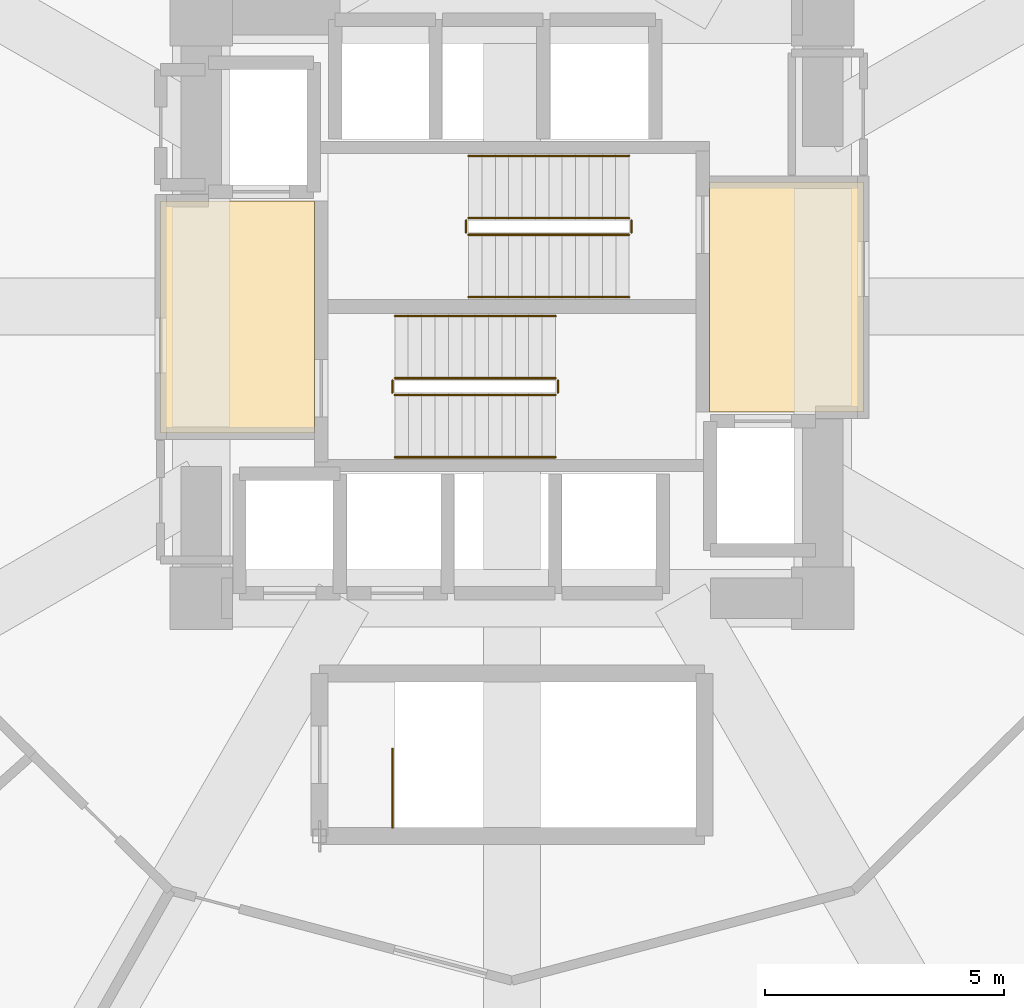
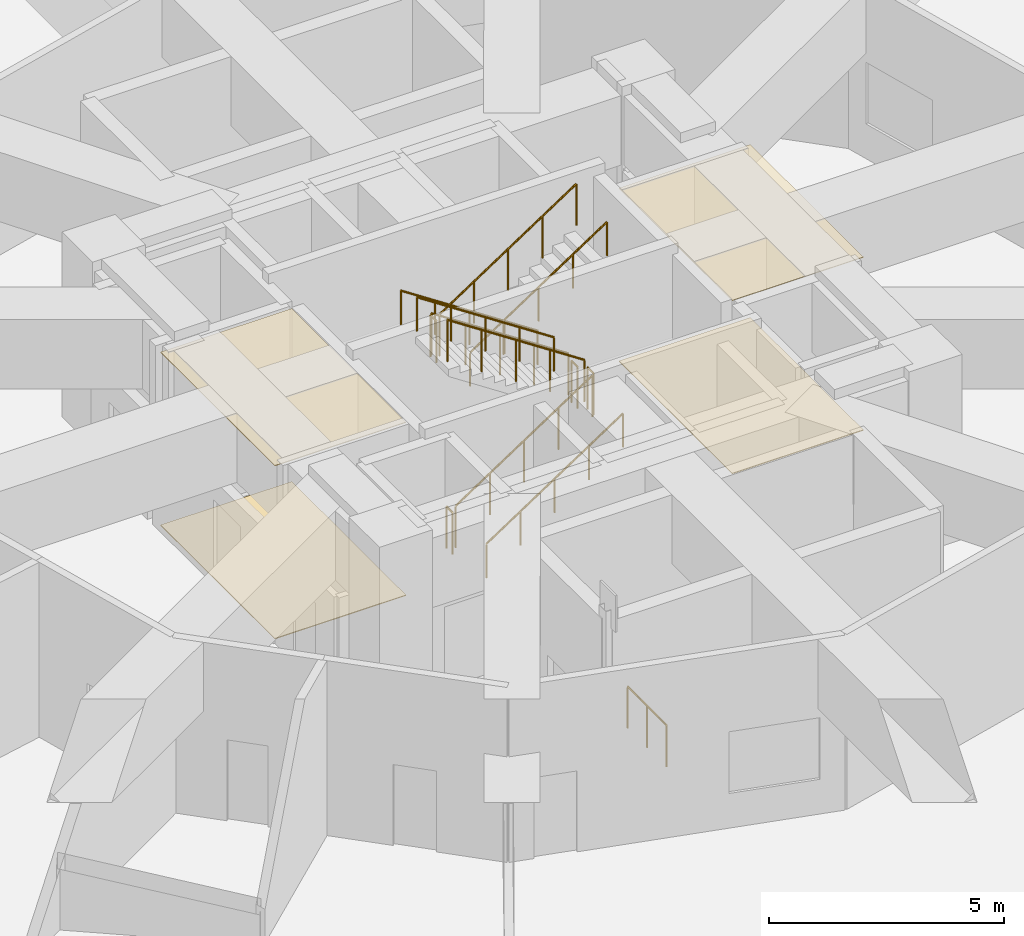
# One storey, part 26 of 27: 13 railings, 4 coverings.
"""IFC4 building model written with IfcOpenShell, lengths in metres."""

from ifc_helpers import new_model, si_unit, direction, frame, origin, origin_2d, place, context, subcontext, project, spatial, polyline, circle, outline, extrude, material, layer, layer_set, type_object, element, save


model = new_model("IFC4")

# Units and contexts
model_context = context("Model", 3, precision=1e-05, world=origin(), true_north=direction((0.0, 1.0)))
body_context = subcontext(model_context, "Body", "Model", "MODEL_VIEW")
ifc_project = project(units=[si_unit("LENGTHUNIT", "METRE"), si_unit("AREAUNIT", "SQUARE_METRE"), si_unit("VOLUMEUNIT", "CUBIC_METRE"), si_unit("PLANEANGLEUNIT", "RADIAN"), si_unit("MASSUNIT", "GRAM", prefix="KILO")], contexts=[model_context])

# Site, building, storey
site_placement = place(None, origin())
site = spatial("IfcSite", under=ifc_project, at=site_placement, CompositionType="ELEMENT")
building_placement = place(site_placement, origin())
building = spatial("IfcBuilding", under=site, at=building_placement, Name="Solvirekh Grand Hotel", CompositionType="ELEMENT")
storey_placement = place(building_placement, frame((0.0, 0.0, 23.60009765625)))
storey = spatial("IfcBuildingStorey", under=building, at=storey_placement, Name="L04", CompositionType="ELEMENT", Elevation=23.60009765625)

# Coverings
ifc_material_1 = material(Name="Acoustic Mineral Ceiling Tile")
ifc_layer_1 = layer(ifc_material_1, 0.02490234375)
ifc_layer_set_1 = layer_set([ifc_layer_1], Name="Acoustic Mineral Ceiling Tile")
covering_type_1 = type_object("IfcCoveringType", Name="Cov_Ceiling_Acoustic", PredefinedType="CEILING", material=ifc_layer_set_1)
covering_1_placement = place(storey_placement, frame((0.0, 0.0, 4.489990234375)))
element("IfcCovering", 1, at=covering_1_placement, inside=storey, type_object=covering_type_1, Name="L04 Firefighting Lobby West acoustic ceiling", PredefinedType="CEILING", context=body_context, shape_type="SweptSolid", body=[
    extrude(outline(polyline([(-7.35009765625, -2.64990234375), (-4.1298828125, -2.64990234375), (-4.1298828125, 2.2099609375), (-7.35009765625, 2.2099609375), (-7.35009765625, -2.64990234375)])), origin(), (0.0, 0.0, 1.0), 0.017822265625),
])
covering_2_placement = place(storey_placement, frame((0.0, 0.0, 4.489990234375)))
element("IfcCovering", 2, at=covering_2_placement, inside=storey, type_object=covering_type_1, Name="L04 Firefighting Lobby East acoustic ceiling", PredefinedType="CEILING", context=body_context, shape_type="SweptSolid", body=[
    extrude(outline(polyline([(4.1298828125, -2.2099609375), (7.35009765625, -2.2099609375), (7.35009765625, 2.60009765625), (4.1298828125, 2.60009765625), (4.1298828125, -2.2099609375)])), origin(), (0.0, 0.0, 1.0), 0.017822265625),
])
ifc_material_2 = material(Name="Porcelain Stoneware Flooring", Category="masonry")
ifc_layer_2 = layer(ifc_material_2, 0.030029296875)
ifc_layer_set_2 = layer_set([ifc_layer_2], Name="Porcelain Stoneware Flooring")
covering_type_2 = type_object("IfcCoveringType", Name="Cov_Floor_Stone", PredefinedType="FLOORING", material=ifc_layer_set_2)
covering_3_placement = place(storey_placement, origin())
element("IfcCovering", 3, at=covering_3_placement, inside=storey, type_object=covering_type_2, Name="L04 Firefighting Lobby West polished granite flooring", PredefinedType="FLOORING", context=body_context, shape_type="SweptSolid", body=[
    extrude(outline(polyline([(-7.35009765625, -2.64990234375), (-4.1298828125, -2.64990234375), (-4.1298828125, 2.2099609375), (-7.35009765625, 2.2099609375), (-7.35009765625, -2.64990234375)])), origin(), (0.0, 0.0, 1.0), 0.02001953125),
])
covering_4_placement = place(storey_placement, origin())
element("IfcCovering", 4, at=covering_4_placement, inside=storey, type_object=covering_type_2, Name="L04 Firefighting Lobby East polished granite flooring", PredefinedType="FLOORING", context=body_context, shape_type="SweptSolid", body=[
    extrude(outline(polyline([(4.1298828125, -2.2099609375), (7.35009765625, -2.2099609375), (7.35009765625, 2.60009765625), (4.1298828125, 2.60009765625), (4.1298828125, -2.2099609375)])), origin(), (0.0, 0.0, 1.0), 0.02001953125),
])

# Railings
ifc_material_3 = material(Name="Steel S355", Category="steel")
railing_type_1 = type_object("IfcRailingType", Name="Guard_Stair_1100", PredefinedType="GUARDRAIL", material=ifc_material_3)
railing_1_placement = place(storey_placement, frame((-2.449951171875, -1.85009765625, 0.1845703125)))
element("IfcRailing", 5, at=railing_1_placement, inside=storey, type_object=railing_type_1, Name="L04 ST-1 stair guard 1", PredefinedType="GUARDRAIL", context=body_context, shape_type="SweptSolid", body=[
    extrude(circle(Radius=0.02392578125, at=origin_2d()), frame((0.0, 0.0, 1.076171875), z_axis=(0.834858096282, 0.0, 0.550465220583), x_axis=(0.0, 1.0, 0.0)), (0.0, 0.0, 1.0), 4.0244140625),
    extrude(circle(Radius=0.02099609375, at=origin_2d()), origin(), (0.0, 0.0, 1.0), 1.052001953125),
    extrude(circle(Radius=0.02099609375, at=origin_2d()), frame((0.83984375, 0.0, 0.5537109375)), (0.0, 0.0, 1.0), 1.052001953125),
    extrude(circle(Radius=0.02099609375, at=origin_2d()), frame((1.679931640625, 0.0, 1.107666015625)), (0.0, 0.0, 1.0), 1.052001953125),
    extrude(circle(Radius=0.02099609375, at=origin_2d()), frame((2.52001953125, 0.0, 1.66162109375)), (0.0, 0.0, 1.0), 1.052001953125),
    extrude(circle(Radius=0.02099609375, at=origin_2d()), frame((3.35986328125, 0.0, 2.21533203125)), (0.0, 0.0, 1.0), 1.052001953125),
])
railing_2_placement = place(storey_placement, frame((0.9599609375, -1.800048828125, 2.39990234375)))
element("IfcRailing", 6, at=railing_2_placement, inside=storey, type_object=railing_type_1, Name="L04 ST-1 stair guard 2", PredefinedType="GUARDRAIL", context=body_context, shape_type="SweptSolid", body=[
    extrude(circle(Radius=0.02392578125, at=origin_2d()), frame((0.0, 0.0, 1.076171875), z_axis=(0.0, 1.0, 0.0), x_axis=(-1.0, 0.0, 0.0)), (0.0, 0.0, 1.0), 0.25),
    extrude(circle(Radius=0.02099609375, at=origin_2d()), origin(), (0.0, 0.0, 1.0), 1.052001953125),
    extrude(circle(Radius=0.02099609375, at=origin_2d()), frame((0.0, 0.25, 0.0)), (0.0, 0.0, 1.0), 1.052001953125),
])
railing_3_placement = place(storey_placement, frame((0.909912109375, -1.5, 2.58447265625)))
element("IfcRailing", 7, at=railing_3_placement, inside=storey, type_object=railing_type_1, Name="L04 ST-1 stair guard 3", PredefinedType="GUARDRAIL", context=body_context, shape_type="SweptSolid", body=[
    extrude(circle(Radius=0.02392578125, at=origin_2d()), frame((0.0, 0.0, 1.076171875), z_axis=(-0.834858096282, 0.0, 0.550465220583), x_axis=(0.0, -1.0, 0.0)), (0.0, 0.0, 1.0), 4.0244140625),
    extrude(circle(Radius=0.02099609375, at=origin_2d()), origin(), (0.0, 0.0, 1.0), 1.052001953125),
    extrude(circle(Radius=0.02099609375, at=origin_2d()), frame((-0.83984375, 0.0, 0.5537109375)), (0.0, 0.0, 1.0), 1.052001953125),
    extrude(circle(Radius=0.02099609375, at=origin_2d()), frame((-1.679931640625, 0.0, 1.107666015625)), (0.0, 0.0, 1.0), 1.052001953125),
    extrude(circle(Radius=0.02099609375, at=origin_2d()), frame((-2.52001953125, 0.0, 1.66162109375)), (0.0, 0.0, 1.0), 1.052001953125),
    extrude(circle(Radius=0.02099609375, at=origin_2d()), frame((-3.35986328125, 0.0, 2.21533203125)), (0.0, 0.0, 1.0), 1.052001953125),
])
railing_4_placement = place(storey_placement, frame((-2.5, -1.800048828125, 0.0)))
element("IfcRailing", 8, at=railing_4_placement, inside=storey, type_object=railing_type_1, Name="L04 ST-1 stair guard 4", PredefinedType="GUARDRAIL", context=body_context, shape_type="SweptSolid", body=[
    extrude(circle(Radius=0.02392578125, at=origin_2d()), frame((0.0, 0.0, 1.076171875), z_axis=(0.0, 1.0, 0.0), x_axis=(-1.0, 0.0, 0.0)), (0.0, 0.0, 1.0), 0.25),
    extrude(circle(Radius=0.02099609375, at=origin_2d()), origin(), (0.0, 0.0, 1.0), 1.052001953125),
    extrude(circle(Radius=0.02099609375, at=origin_2d()), frame((0.0, 0.25, 0.0)), (0.0, 0.0, 1.0), 1.052001953125),
])
railing_5_placement = place(storey_placement, frame((2.449951171875, 1.85009765625, 0.1845703125)))
element("IfcRailing", 9, at=railing_5_placement, inside=storey, type_object=railing_type_1, Name="L04 ST-2 stair guard 1", PredefinedType="GUARDRAIL", context=body_context, shape_type="SweptSolid", body=[
    extrude(circle(Radius=0.02392578125, at=origin_2d()), frame((0.0, 0.0, 1.076171875), z_axis=(-0.834858096282, 0.0, 0.550465220583), x_axis=(0.0, -1.0, 0.0)), (0.0, 0.0, 1.0), 4.0244140625),
    extrude(circle(Radius=0.02099609375, at=origin_2d()), origin(), (0.0, 0.0, 1.0), 1.052001953125),
    extrude(circle(Radius=0.02099609375, at=origin_2d()), frame((-0.83984375, 0.0, 0.5537109375)), (0.0, 0.0, 1.0), 1.052001953125),
    extrude(circle(Radius=0.02099609375, at=origin_2d()), frame((-1.679931640625, 0.0, 1.107666015625)), (0.0, 0.0, 1.0), 1.052001953125),
    extrude(circle(Radius=0.02099609375, at=origin_2d()), frame((-2.52001953125, 0.0, 1.66162109375)), (0.0, 0.0, 1.0), 1.052001953125),
    extrude(circle(Radius=0.02099609375, at=origin_2d()), frame((-3.35986328125, 0.0, 2.21533203125)), (0.0, 0.0, 1.0), 1.052001953125),
])
railing_6_placement = place(storey_placement, frame((-0.9599609375, 1.800048828125, 2.39990234375)))
element("IfcRailing", 10, at=railing_6_placement, inside=storey, type_object=railing_type_1, Name="L04 ST-2 stair guard 2", PredefinedType="GUARDRAIL", context=body_context, shape_type="SweptSolid", body=[
    extrude(circle(Radius=0.02392578125, at=origin_2d()), frame((0.0, 0.0, 1.076171875), z_axis=(0.0, -1.0, 0.0), x_axis=(1.0, 0.0, 0.0)), (0.0, 0.0, 1.0), 0.25),
    extrude(circle(Radius=0.02099609375, at=origin_2d()), origin(), (0.0, 0.0, 1.0), 1.052001953125),
    extrude(circle(Radius=0.02099609375, at=origin_2d()), frame((0.0, -0.25, 0.0)), (0.0, 0.0, 1.0), 1.052001953125),
])
railing_7_placement = place(storey_placement, frame((-0.909912109375, 1.5, 2.58447265625)))
element("IfcRailing", 11, at=railing_7_placement, inside=storey, type_object=railing_type_1, Name="L04 ST-2 stair guard 3", PredefinedType="GUARDRAIL", context=body_context, shape_type="SweptSolid", body=[
    extrude(circle(Radius=0.02392578125, at=origin_2d()), frame((0.0, 0.0, 1.076171875), z_axis=(0.834858096282, 0.0, 0.550465220583), x_axis=(0.0, 1.0, 0.0)), (0.0, 0.0, 1.0), 4.0244140625),
    extrude(circle(Radius=0.02099609375, at=origin_2d()), origin(), (0.0, 0.0, 1.0), 1.052001953125),
    extrude(circle(Radius=0.02099609375, at=origin_2d()), frame((0.83984375, 0.0, 0.5537109375)), (0.0, 0.0, 1.0), 1.052001953125),
    extrude(circle(Radius=0.02099609375, at=origin_2d()), frame((1.679931640625, 0.0, 1.107666015625)), (0.0, 0.0, 1.0), 1.052001953125),
    extrude(circle(Radius=0.02099609375, at=origin_2d()), frame((2.52001953125, 0.0, 1.66162109375)), (0.0, 0.0, 1.0), 1.052001953125),
    extrude(circle(Radius=0.02099609375, at=origin_2d()), frame((3.35986328125, 0.0, 2.21533203125)), (0.0, 0.0, 1.0), 1.052001953125),
])
railing_8_placement = place(storey_placement, frame((2.5, 1.800048828125, 0.0)))
element("IfcRailing", 12, at=railing_8_placement, inside=storey, type_object=railing_type_1, Name="L04 ST-2 stair guard 4", PredefinedType="GUARDRAIL", context=body_context, shape_type="SweptSolid", body=[
    extrude(circle(Radius=0.02392578125, at=origin_2d()), frame((0.0, 0.0, 1.076171875), z_axis=(0.0, -1.0, 0.0), x_axis=(1.0, 0.0, 0.0)), (0.0, 0.0, 1.0), 0.25),
    extrude(circle(Radius=0.02099609375, at=origin_2d()), origin(), (0.0, 0.0, 1.0), 1.052001953125),
    extrude(circle(Radius=0.02099609375, at=origin_2d()), frame((0.0, -0.25, 0.0)), (0.0, 0.0, 1.0), 1.052001953125),
])
railing_9_placement = place(storey_placement, frame((-2.5, -10.89990234375, 0.0)))
element("IfcRailing", 13, at=railing_9_placement, inside=storey, type_object=railing_type_1, Name="L04 ST-3 top well guard 1", PredefinedType="GUARDRAIL", context=body_context, shape_type="SweptSolid", body=[
    extrude(circle(Radius=0.02392578125, at=origin_2d()), frame((0.0, 0.0, 1.076171875), z_axis=(0.0, 1.0, 0.0), x_axis=(-1.0, 0.0, 0.0)), (0.0, 0.0, 1.0), 1.64990234375),
    extrude(circle(Radius=0.02099609375, at=origin_2d()), origin(), (0.0, 0.0, 1.0), 1.052001953125),
    extrude(circle(Radius=0.02099609375, at=origin_2d()), frame((0.0, 0.824951171875, 0.0)), (0.0, 0.0, 1.0), 1.052001953125),
    extrude(circle(Radius=0.02099609375, at=origin_2d()), frame((0.0, 1.64990234375, 0.0)), (0.0, 0.0, 1.0), 1.052001953125),
])
ifc_material_4 = material(Name="Anodized Bronze Aluminium 6063-T6", Category="aluminium")
railing_type_2 = type_object("IfcRailingType", Name="Handrail_Wall_900", PredefinedType="HANDRAIL", material=ifc_material_4)
railing_10_placement = place(storey_placement, frame((-2.449951171875, -3.14990234375, 0.1845703125)))
element("IfcRailing", 14, at=railing_10_placement, inside=storey, type_object=railing_type_2, Name="L04 ST-1 stair handrail 1", PredefinedType="HANDRAIL", context=body_context, shape_type="SweptSolid", body=[
    extrude(circle(Radius=0.02392578125, at=origin_2d()), frame((0.0, 0.0, 0.8759765625), z_axis=(0.834858096282, 0.0, 0.550465220583), x_axis=(0.0, 1.0, 0.0)), (0.0, 0.0, 1.0), 4.0244140625),
    extrude(circle(Radius=0.02099609375, at=origin_2d()), origin(), (0.0, 0.0, 1.0), 0.851806640625),
    extrude(circle(Radius=0.02099609375, at=origin_2d()), frame((0.83984375, 0.0, 0.5537109375)), (0.0, 0.0, 1.0), 0.851806640625),
    extrude(circle(Radius=0.02099609375, at=origin_2d()), frame((1.679931640625, 0.0, 1.107666015625)), (0.0, 0.0, 1.0), 0.851806640625),
    extrude(circle(Radius=0.02099609375, at=origin_2d()), frame((2.52001953125, 0.0, 1.66162109375)), (0.0, 0.0, 1.0), 0.851806640625),
    extrude(circle(Radius=0.02099609375, at=origin_2d()), frame((3.35986328125, 0.0, 2.21533203125)), (0.0, 0.0, 1.0), 0.851806640625),
])
for number, where, name in (
    (15, (0.909912109375, -0.199951171875, 2.58447265625), "L04 ST-1 stair handrail 2"),
    (16, (2.449951171875, 3.14990234375, 0.1845703125), "L04 ST-2 stair handrail 1"),
):
    element("IfcRailing", number, at=place(storey_placement, frame(where)), inside=storey, type_object=railing_type_2, Name=name, PredefinedType="HANDRAIL", context=body_context, shape_type="SweptSolid", body=[
        extrude(circle(Radius=0.02392578125, at=origin_2d()), frame((0.0, 0.0, 0.8759765625), z_axis=(-0.834858096282, 0.0, 0.550465220583), x_axis=(0.0, -1.0, 0.0)), (0.0, 0.0, 1.0), 4.0244140625),
        extrude(circle(Radius=0.02099609375, at=origin_2d()), origin(), (0.0, 0.0, 1.0), 0.851806640625),
        extrude(circle(Radius=0.02099609375, at=origin_2d()), frame((-0.83984375, 0.0, 0.5537109375)), (0.0, 0.0, 1.0), 0.851806640625),
        extrude(circle(Radius=0.02099609375, at=origin_2d()), frame((-1.679931640625, 0.0, 1.107666015625)), (0.0, 0.0, 1.0), 0.851806640625),
        extrude(circle(Radius=0.02099609375, at=origin_2d()), frame((-2.52001953125, 0.0, 1.66162109375)), (0.0, 0.0, 1.0), 0.851806640625),
        extrude(circle(Radius=0.02099609375, at=origin_2d()), frame((-3.35986328125, 0.0, 2.21533203125)), (0.0, 0.0, 1.0), 0.851806640625),
    ])
railing_11_placement = place(storey_placement, frame((-0.909912109375, 0.199951171875, 2.58447265625)))
element("IfcRailing", 17, at=railing_11_placement, inside=storey, type_object=railing_type_2, Name="L04 ST-2 stair handrail 2", PredefinedType="HANDRAIL", context=body_context, shape_type="SweptSolid", body=[
    extrude(circle(Radius=0.02392578125, at=origin_2d()), frame((0.0, 0.0, 0.8759765625), z_axis=(0.834858096282, 0.0, 0.550465220583), x_axis=(0.0, 1.0, 0.0)), (0.0, 0.0, 1.0), 4.0244140625),
    extrude(circle(Radius=0.02099609375, at=origin_2d()), origin(), (0.0, 0.0, 1.0), 0.851806640625),
    extrude(circle(Radius=0.02099609375, at=origin_2d()), frame((0.83984375, 0.0, 0.5537109375)), (0.0, 0.0, 1.0), 0.851806640625),
    extrude(circle(Radius=0.02099609375, at=origin_2d()), frame((1.679931640625, 0.0, 1.107666015625)), (0.0, 0.0, 1.0), 0.851806640625),
    extrude(circle(Radius=0.02099609375, at=origin_2d()), frame((2.52001953125, 0.0, 1.66162109375)), (0.0, 0.0, 1.0), 0.851806640625),
    extrude(circle(Radius=0.02099609375, at=origin_2d()), frame((3.35986328125, 0.0, 2.21533203125)), (0.0, 0.0, 1.0), 0.851806640625),
])

save(model, "model.ifc")
